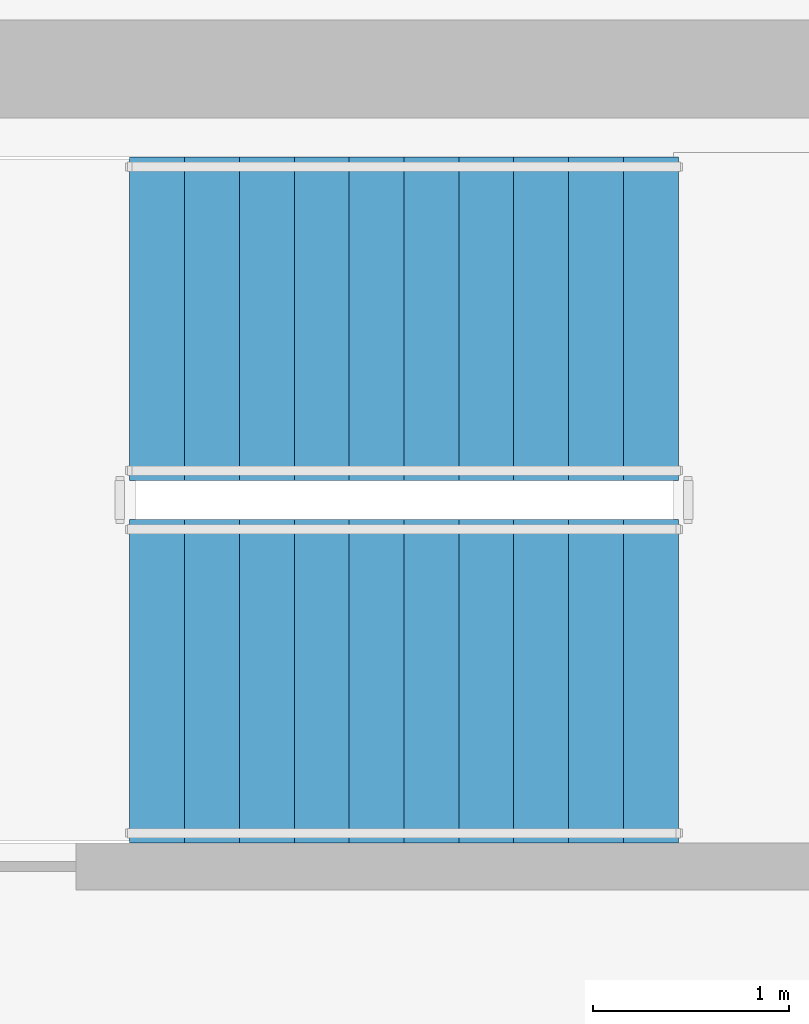
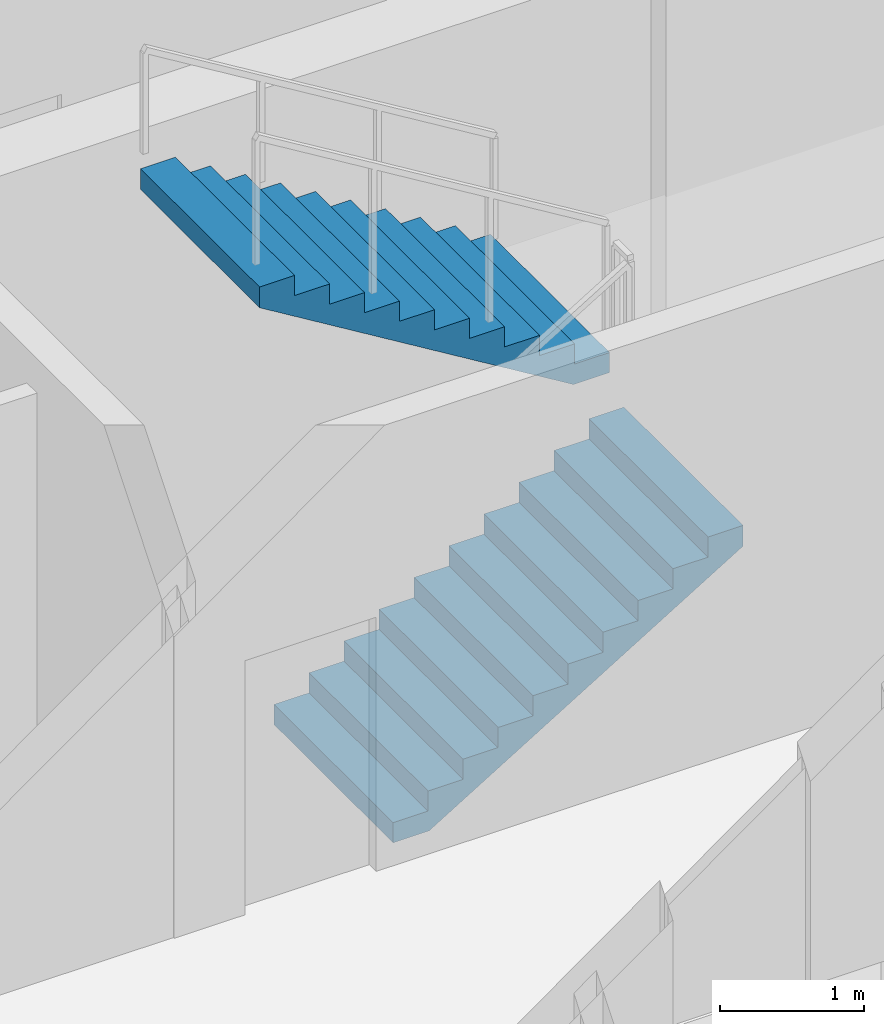
# One storey, part 29 of 34: 2 stair flights, 1 element without a shape of its own.
"""IFC4 building model written with IfcOpenShell, lengths in metres."""

import ifcopenshell
import ifcopenshell.guid

model = None  # the IFC model being written
_history = None  # IfcOwnerHistory: only IFC2X3 demands one
_inside = {}  # id of a spatial element -> (the spatial element, [elements in it])
_under = {}  # id of a project, library or spatial element -> (it, [spatial elements below it])
_declared = {}  # id of a project -> (the project, [libraries it declares])
_typed = {}  # id of a type object -> (the type object, [elements of that type])
_made_of = {}  # id of a material, layer set ... -> (it, [elements and type objects made of it])


def new_model(schema):
    """Start an empty IFC model of exactly this schema.

    Asked for "IFC4X3", IfcOpenShell would pick the latest addendum, in which some entities
    have other attributes; the version numbers below select the first issue.
    IFC2X3 requires an IfcOwnerHistory on every rooted entity: one is made here for all.
    """
    global model, _history
    if schema == "IFC4X3":
        model = ifcopenshell.file(schema_version=(4, 3, 0, 0))
    else:
        model = ifcopenshell.file(schema=schema)
    _inside.clear()
    _under.clear()
    _declared.clear()
    _typed.clear()
    _made_of.clear()
    _history = None
    if model.schema == "IFC2X3":
        org = make("IfcOrganization", Name="unknown")
        user = make(
            "IfcPersonAndOrganization",
            ThePerson=make("IfcPerson", FamilyName="unknown"),
            TheOrganization=org,
        )
        app = make(
            "IfcApplication",
            ApplicationDeveloper=org,
            Version="unknown",
            ApplicationFullName="unknown",
            ApplicationIdentifier="unknown",
        )
        _history = make(
            "IfcOwnerHistory",
            OwningUser=user,
            OwningApplication=app,
            ChangeAction="ADDED",
            CreationDate=0,
        )
    return model


def make(cls, **values):
    """One entity of the class cls with the attributes given. An attribute that is None is left unset."""
    return model.create_entity(
        cls, **{name: value for name, value in values.items() if value is not None}
    )


def rooted(cls, **values):
    """An entity with a GlobalId (a new one), such as an element, a storey or a relation."""
    return make(cls, GlobalId=ifcopenshell.guid.new(), OwnerHistory=_history, **values)


def si_unit(unit_type, name, prefix=None):
    """IfcSIUnit, for example si_unit("LENGTHUNIT", "METRE", prefix="MILLI")."""
    return make("IfcSIUnit", UnitType=unit_type, Prefix=prefix, Name=name)


def assignment(units):
    """IfcUnitAssignment: the units of a project."""
    return None if units is None else make("IfcUnitAssignment", Units=units)


def point(xyz):
    """IfcCartesianPoint."""
    return None if xyz is None else make("IfcCartesianPoint", Coordinates=xyz)


def direction(xyz):
    """IfcDirection."""
    return None if xyz is None else make("IfcDirection", DirectionRatios=xyz)


def frame(location, z_axis=None, x_axis=None):
    """IfcAxis2Placement3D, a coordinate frame: its origin and axes. An axis left out is left unset."""
    return make(
        "IfcAxis2Placement3D",
        Location=point(location),
        Axis=direction(z_axis),
        RefDirection=direction(x_axis),
    )


def origin():
    """The frame at (0, 0, 0) with its axes left unset."""
    return frame((0.0, 0.0, 0.0))


def place(relative_to, where):
    """IfcLocalPlacement: puts the frame where relative to a parent placement (None: the world)."""
    return make(
        "IfcLocalPlacement", PlacementRelTo=relative_to, RelativePlacement=where
    )


def context(
    kind, dimensions, precision=None, world=None, true_north=None, identifier=None
):
    """IfcGeometricRepresentationContext, for example the 3D "Model" context."""
    return make(
        "IfcGeometricRepresentationContext",
        ContextIdentifier=identifier,
        ContextType=kind,
        CoordinateSpaceDimension=dimensions,
        Precision=precision,
        WorldCoordinateSystem=world,
        TrueNorth=true_north,
    )


def subcontext(parent, identifier, kind, view, scale=None):
    """IfcGeometricRepresentationSubContext, for example "Body" below "Model"."""
    return make(
        "IfcGeometricRepresentationSubContext",
        ContextIdentifier=identifier,
        ContextType=kind,
        ParentContext=parent,
        TargetScale=scale,
        TargetView=view,
    )


def project(units=None, contexts=None):
    """IfcProject with its units and contexts."""
    return rooted(
        "IfcProject",
        Name="project",
        RepresentationContexts=contexts,
        UnitsInContext=assignment(units),
    )


def spatial(cls, under=None, at=None, **own):
    """A site, building, storey or space (cls), placed at a placement, below another one or the project."""
    s = rooted(cls, ObjectPlacement=at, **own)
    if under is not None:
        _under.setdefault(under.id(), (under, []))[1].append(s)
    return s


def polyline(points):
    """IfcPolyline through the points."""
    return make("IfcPolyline", Points=[point(p) for p in points])


def outline(outer, holes=None, kind="AREA"):
    """IfcArbitraryClosedProfileDef: a profile drawn as a closed curve; with holes, ...WithVoids."""
    if holes is None:
        return make("IfcArbitraryClosedProfileDef", ProfileType=kind, OuterCurve=outer)
    return make(
        "IfcArbitraryProfileDefWithVoids",
        ProfileType=kind,
        OuterCurve=outer,
        InnerCurves=holes,
    )


def extrude(swept, where, along, depth):
    """IfcExtrudedAreaSolid: the profile swept, set in the frame where, extruded along a direction by depth."""
    return make(
        "IfcExtrudedAreaSolid",
        SweptArea=swept,
        Position=where,
        ExtrudedDirection=direction(along),
        Depth=depth,
    )


def shape(context_of_items, identifier, shape_type, items):
    """IfcShapeRepresentation: the items that make up one representation, for example the "Body"."""
    return make(
        "IfcShapeRepresentation",
        ContextOfItems=context_of_items,
        RepresentationIdentifier=identifier,
        RepresentationType=shape_type,
        Items=items,
    )


def material(Name=None, Category=None):
    """IfcMaterial."""
    return make("IfcMaterial", Name=Name, Category=Category)


def made_of(thing, what):
    """Note that an element or type object is made of a material, layer set ...; save() writes the relation."""
    if what is not None:
        _made_of.setdefault(what.id(), (what, []))[1].append(thing)
    return thing


def type_object(cls, material=None, **own):
    """A type object (cls), such as IfcWallType, which elements share."""
    return made_of(rooted(cls, **own), material)


def element(
    cls,
    number,
    at=None,
    inside=None,
    cuts=None,
    type_object=None,
    material=None,
    context=None,
    identifier="Body",
    shape_type=None,
    held_by="IfcProductDefinitionShape",
    body=None,
    shapes=None,
    **own,
):
    """One element of the class cls, such as IfcWall. Its Tag is "e" and its number.

    at: its placement. inside: the storey or other place that contains it. cuts: it is an
    opening in that element (IfcRelVoidsElement). A single representation is given by context,
    identifier, shape_type and body (its items); several are given by shapes. held_by: the class
    of the entity that holds the representations. save() writes the other relations.
    """
    e = rooted(cls, Tag="e%d" % number, ObjectPlacement=at, **own)
    if body is not None:
        shapes = [shape(context, identifier, shape_type, body)]
    if shapes is not None:
        e.Representation = make(held_by, Representations=shapes)
    if inside is not None:
        _inside.setdefault(inside.id(), (inside, []))[1].append(e)
    if cuts is not None:
        rooted(
            "IfcRelVoidsElement", RelatingBuildingElement=cuts, RelatedOpeningElement=e
        )
    if type_object is not None:
        _typed.setdefault(type_object.id(), (type_object, []))[1].append(e)
    return made_of(e, material)


def aggregate(whole, parts):
    """IfcRelAggregates: a whole, such as a stair, and the parts it consists of."""
    return rooted("IfcRelAggregates", RelatingObject=whole, RelatedObjects=parts)


def save(model, path):
    """Write the relations noted so far, then the file.

    IfcRelAggregates (storeys below a building ...), IfcRelContainedInSpatialStructure (elements
    in a storey), IfcRelDefinesByType, IfcRelAssociatesMaterial and IfcRelDeclares: one each for
    every whole, place, type object, material and project.
    """
    for whole, parts in _under.values():
        aggregate(whole, parts)
    for where, things in _inside.values():
        rooted(
            "IfcRelContainedInSpatialStructure",
            RelatedElements=things,
            RelatingStructure=where,
        )
    for kind, things in _typed.values():
        rooted("IfcRelDefinesByType", RelatedObjects=things, RelatingType=kind)
    for what, things in _made_of.values():
        rooted("IfcRelAssociatesMaterial", RelatedObjects=things, RelatingMaterial=what)
    for by, libraries in _declared.values():
        rooted("IfcRelDeclares", RelatingContext=by, RelatedDefinitions=libraries)
    model.write(path)


model = new_model("IFC4")

# Units and contexts
model_context = context("Model", 3, precision=1e-05, world=origin(), true_north=direction((0.0, 1.0)))
body_context = subcontext(model_context, "Body", "Model", "MODEL_VIEW")
ifc_project = project(units=[si_unit("LENGTHUNIT", "METRE"), si_unit("AREAUNIT", "SQUARE_METRE"), si_unit("VOLUMEUNIT", "CUBIC_METRE"), si_unit("PLANEANGLEUNIT", "RADIAN"), si_unit("MASSUNIT", "GRAM", prefix="KILO")], contexts=[model_context])

# Site, building, storey
site_placement = place(None, origin())
site = spatial("IfcSite", under=ifc_project, at=site_placement, CompositionType="ELEMENT")
building_placement = place(site_placement, origin())
building = spatial("IfcBuilding", under=site, at=building_placement, Name="Haldenkirk Collegiate Tower", CompositionType="ELEMENT")
storey_placement = place(building_placement, frame((0.0, 0.0, 163.199951171875)))
storey = spatial("IfcBuildingStorey", under=building, at=storey_placement, Name="L40", CompositionType="ELEMENT", Elevation=163.199951171875)

# Stair, stair flights
ifc_material = material(Name="Concrete f'c 40 MPa", Category="concrete")
stair_type = type_object("IfcStairType", Name="STR-DOGLEG-1650", PredefinedType="HALF_TURN_STAIR", material=ifc_material)
stair_placement = place(storey_placement, origin())
stair = element("IfcStair", 1, at=stair_placement, inside=storey, type_object=stair_type, Name="L40 Core Exit Stair ST-3", PredefinedType="HALF_TURN_STAIR")
stair_flight_type = type_object("IfcStairFlightType", Name="STF-FLIGHT-1650", PredefinedType="STRAIGHT", material=ifc_material)
stair_flight_1_placement = place(storey_placement, frame((33.64990234375, 30.875, 0.0), z_axis=(0.0, 0.0, 1.0), x_axis=(1.0, 0.0, 0.0)))
stair_flight_1 = element("IfcStairFlight", 2, at=stair_flight_1_placement, type_object=stair_flight_type, Name="ST-3 flight 1", NumberOfRisers=11, NumberOfTreads=10, PredefinedType="STRAIGHT", RiserHeight=0.170454545, TreadLength=0.28, context=body_context, shape_type="SweptSolid", body=[
    extrude(outline(polyline([(0.0, 0.0), (0.0, 0.17041015625), (0.280029296875, 0.17041015625), (0.280029296875, 0.3408203125), (0.56005859375, 0.3408203125), (0.56005859375, 0.511474609375), (0.840087890625, 0.511474609375), (0.840087890625, 0.681884765625), (1.1201171875, 0.681884765625), (1.1201171875, 0.852294921875), (1.39990234375, 0.852294921875), (1.39990234375, 1.022705078125), (1.679931640625, 1.022705078125), (1.679931640625, 1.193115234375), (1.9599609375, 1.193115234375), (1.9599609375, 1.363525390625), (2.239990234375, 1.363525390625), (2.239990234375, 1.5341796875), (2.52001953125, 1.5341796875), (2.52001953125, 1.70458984375), (2.800048828125, 1.70458984375), (2.800048828125, 1.875), (2.800048828125, 1.529052734375), (0.288330078125, 0.0), (0.0, 0.0)])), frame((0.0, 0.824951171875, 0.0), z_axis=(0.0, -1.0, 0.0), x_axis=(1.0, 0.0, 0.0)), (0.0, 0.0, 1.0), 1.64990234375),
])
stair_flight_2_placement = place(storey_placement, frame((36.449951171875, 32.72509765625, 1.875), z_axis=(0.0, 0.0, 1.0), x_axis=(-1.0, 0.0, 0.0)))
stair_flight_2 = element("IfcStairFlight", 3, at=stair_flight_2_placement, type_object=stair_flight_type, Name="ST-3 flight 2", NumberOfRisers=11, NumberOfTreads=10, PredefinedType="STRAIGHT", RiserHeight=0.170454545, TreadLength=0.28, context=body_context, shape_type="SweptSolid", body=[
    extrude(outline(polyline([(0.0, 0.0), (0.0, 0.17041015625), (0.280029296875, 0.17041015625), (0.280029296875, 0.3408203125), (0.56005859375, 0.3408203125), (0.56005859375, 0.511474609375), (0.840087890625, 0.511474609375), (0.840087890625, 0.681884765625), (1.1201171875, 0.681884765625), (1.1201171875, 0.852294921875), (1.39990234375, 0.852294921875), (1.39990234375, 1.022705078125), (1.679931640625, 1.022705078125), (1.679931640625, 1.193115234375), (1.9599609375, 1.193115234375), (1.9599609375, 1.363525390625), (2.239990234375, 1.363525390625), (2.239990234375, 1.5341796875), (2.52001953125, 1.5341796875), (2.52001953125, 1.70458984375), (2.800048828125, 1.70458984375), (2.800048828125, 1.875), (2.800048828125, 1.529052734375), (0.288330078125, 0.0), (0.0, 0.0)])), frame((0.0, 0.824951171875, 0.0), z_axis=(0.0, -1.0, 0.0), x_axis=(1.0, 0.0, 0.0)), (0.0, 0.0, 1.0), 1.64990234375),
])
aggregate(stair, [stair_flight_1, stair_flight_2])

save(model, "model.ifc")
